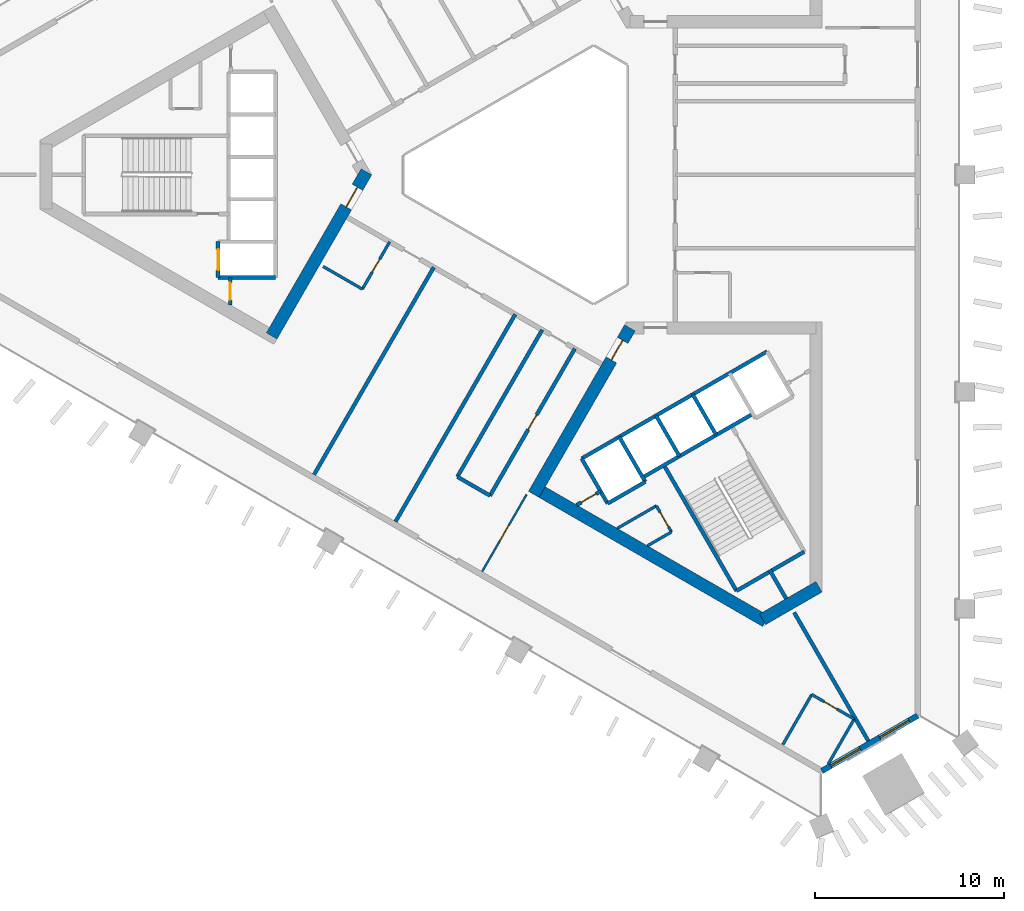
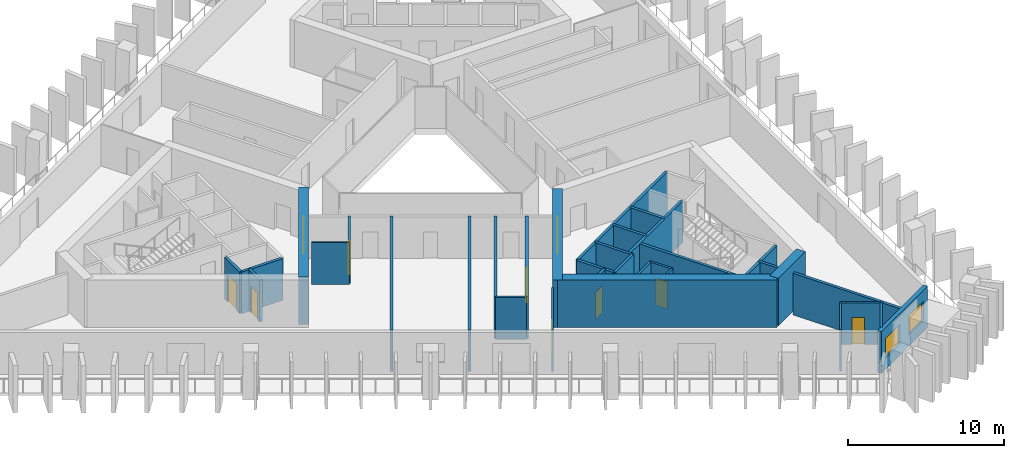
# One storey, part 2 of 10: 34 walls, 10 doors, 2 windows, 12 openings.
"""IFC4 building model written with IfcOpenShell, lengths in metres."""

import ifcopenshell
import ifcopenshell.guid

model = None  # the IFC model being written
_history = None  # IfcOwnerHistory: only IFC2X3 demands one
_inside = {}  # id of a spatial element -> (the spatial element, [elements in it])
_under = {}  # id of a project, library or spatial element -> (it, [spatial elements below it])
_declared = {}  # id of a project -> (the project, [libraries it declares])
_typed = {}  # id of a type object -> (the type object, [elements of that type])
_made_of = {}  # id of a material, layer set ... -> (it, [elements and type objects made of it])


def new_model(schema):
    """Start an empty IFC model of exactly this schema.

    Asked for "IFC4X3", IfcOpenShell would pick the latest addendum, in which some entities
    have other attributes; the version numbers below select the first issue.
    IFC2X3 requires an IfcOwnerHistory on every rooted entity: one is made here for all.
    """
    global model, _history
    if schema == "IFC4X3":
        model = ifcopenshell.file(schema_version=(4, 3, 0, 0))
    else:
        model = ifcopenshell.file(schema=schema)
    _inside.clear()
    _under.clear()
    _declared.clear()
    _typed.clear()
    _made_of.clear()
    _history = None
    if model.schema == "IFC2X3":
        org = make("IfcOrganization", Name="unknown")
        user = make(
            "IfcPersonAndOrganization",
            ThePerson=make("IfcPerson", FamilyName="unknown"),
            TheOrganization=org,
        )
        app = make(
            "IfcApplication",
            ApplicationDeveloper=org,
            Version="unknown",
            ApplicationFullName="unknown",
            ApplicationIdentifier="unknown",
        )
        _history = make(
            "IfcOwnerHistory",
            OwningUser=user,
            OwningApplication=app,
            ChangeAction="ADDED",
            CreationDate=0,
        )
    return model


def make(cls, **values):
    """One entity of the class cls with the attributes given. An attribute that is None is left unset."""
    return model.create_entity(
        cls, **{name: value for name, value in values.items() if value is not None}
    )


def rooted(cls, **values):
    """An entity with a GlobalId (a new one), such as an element, a storey or a relation."""
    return make(cls, GlobalId=ifcopenshell.guid.new(), OwnerHistory=_history, **values)


def si_unit(unit_type, name, prefix=None):
    """IfcSIUnit, for example si_unit("LENGTHUNIT", "METRE", prefix="MILLI")."""
    return make("IfcSIUnit", UnitType=unit_type, Prefix=prefix, Name=name)


def assignment(units):
    """IfcUnitAssignment: the units of a project."""
    return None if units is None else make("IfcUnitAssignment", Units=units)


def point(xyz):
    """IfcCartesianPoint."""
    return None if xyz is None else make("IfcCartesianPoint", Coordinates=xyz)


def direction(xyz):
    """IfcDirection."""
    return None if xyz is None else make("IfcDirection", DirectionRatios=xyz)


def frame(location, z_axis=None, x_axis=None):
    """IfcAxis2Placement3D, a coordinate frame: its origin and axes. An axis left out is left unset."""
    return make(
        "IfcAxis2Placement3D",
        Location=point(location),
        Axis=direction(z_axis),
        RefDirection=direction(x_axis),
    )


def frame_2d(location, x_axis=None):
    """IfcAxis2Placement2D, a coordinate frame in the plane: its origin and x axis."""
    return make(
        "IfcAxis2Placement2D", Location=point(location), RefDirection=direction(x_axis)
    )


def origin():
    """The frame at (0, 0, 0) with its axes left unset."""
    return frame((0.0, 0.0, 0.0))


def place(relative_to, where):
    """IfcLocalPlacement: puts the frame where relative to a parent placement (None: the world)."""
    return make(
        "IfcLocalPlacement", PlacementRelTo=relative_to, RelativePlacement=where
    )


def context(
    kind, dimensions, precision=None, world=None, true_north=None, identifier=None
):
    """IfcGeometricRepresentationContext, for example the 3D "Model" context."""
    return make(
        "IfcGeometricRepresentationContext",
        ContextIdentifier=identifier,
        ContextType=kind,
        CoordinateSpaceDimension=dimensions,
        Precision=precision,
        WorldCoordinateSystem=world,
        TrueNorth=true_north,
    )


def subcontext(parent, identifier, kind, view, scale=None):
    """IfcGeometricRepresentationSubContext, for example "Body" below "Model"."""
    return make(
        "IfcGeometricRepresentationSubContext",
        ContextIdentifier=identifier,
        ContextType=kind,
        ParentContext=parent,
        TargetScale=scale,
        TargetView=view,
    )


def project(units=None, contexts=None):
    """IfcProject with its units and contexts."""
    return rooted(
        "IfcProject",
        Name="project",
        RepresentationContexts=contexts,
        UnitsInContext=assignment(units),
    )


def spatial(cls, under=None, at=None, **own):
    """A site, building, storey or space (cls), placed at a placement, below another one or the project."""
    s = rooted(cls, ObjectPlacement=at, **own)
    if under is not None:
        _under.setdefault(under.id(), (under, []))[1].append(s)
    return s


def profile(cls, at=None, kind="AREA", **sizes):
    """A parametric profile (cls). Its sizes go by their IFC names, for example OverallWidth=200.0."""
    return make(cls, ProfileType=kind, Position=at, **sizes)


def rectangle(**sizes):
    """IfcRectangleProfileDef."""
    return profile("IfcRectangleProfileDef", **sizes)


def extrude(swept, where, along, depth):
    """IfcExtrudedAreaSolid: the profile swept, set in the frame where, extruded along a direction by depth."""
    return make(
        "IfcExtrudedAreaSolid",
        SweptArea=swept,
        Position=where,
        ExtrudedDirection=direction(along),
        Depth=depth,
    )


def shape(context_of_items, identifier, shape_type, items):
    """IfcShapeRepresentation: the items that make up one representation, for example the "Body"."""
    return make(
        "IfcShapeRepresentation",
        ContextOfItems=context_of_items,
        RepresentationIdentifier=identifier,
        RepresentationType=shape_type,
        Items=items,
    )


def material(Name=None, Category=None):
    """IfcMaterial."""
    return make("IfcMaterial", Name=Name, Category=Category)


def layer(
    of_material, thickness, ventilated=None, Name=None, Category=None, Priority=None
):
    """IfcMaterialLayer: one layer of a wall or slab, of a material (None: an air gap)."""
    return make(
        "IfcMaterialLayer",
        Material=of_material,
        LayerThickness=thickness,
        IsVentilated=ventilated,
        Name=Name,
        Category=Category,
        Priority=Priority,
    )


def layer_set(layers, Name=None):
    """IfcMaterialLayerSet."""
    return make("IfcMaterialLayerSet", MaterialLayers=layers, LayerSetName=Name)


def made_of(thing, what):
    """Note that an element or type object is made of a material, layer set ...; save() writes the relation."""
    if what is not None:
        _made_of.setdefault(what.id(), (what, []))[1].append(thing)
    return thing


def type_object(cls, material=None, **own):
    """A type object (cls), such as IfcWallType, which elements share."""
    return made_of(rooted(cls, **own), material)


def element(
    cls,
    number,
    at=None,
    inside=None,
    cuts=None,
    type_object=None,
    material=None,
    context=None,
    identifier="Body",
    shape_type=None,
    held_by="IfcProductDefinitionShape",
    body=None,
    shapes=None,
    **own,
):
    """One element of the class cls, such as IfcWall. Its Tag is "e" and its number.

    at: its placement. inside: the storey or other place that contains it. cuts: it is an
    opening in that element (IfcRelVoidsElement). A single representation is given by context,
    identifier, shape_type and body (its items); several are given by shapes. held_by: the class
    of the entity that holds the representations. save() writes the other relations.
    """
    e = rooted(cls, Tag="e%d" % number, ObjectPlacement=at, **own)
    if body is not None:
        shapes = [shape(context, identifier, shape_type, body)]
    if shapes is not None:
        e.Representation = make(held_by, Representations=shapes)
    if inside is not None:
        _inside.setdefault(inside.id(), (inside, []))[1].append(e)
    if cuts is not None:
        rooted(
            "IfcRelVoidsElement", RelatingBuildingElement=cuts, RelatedOpeningElement=e
        )
    if type_object is not None:
        _typed.setdefault(type_object.id(), (type_object, []))[1].append(e)
    return made_of(e, material)


def fill(opening, filler):
    """IfcRelFillsElement: the door or window that sits in an opening."""
    return rooted(
        "IfcRelFillsElement",
        RelatingOpeningElement=opening,
        RelatedBuildingElement=filler,
    )


def aggregate(whole, parts):
    """IfcRelAggregates: a whole, such as a stair, and the parts it consists of."""
    return rooted("IfcRelAggregates", RelatingObject=whole, RelatedObjects=parts)


def save(model, path):
    """Write the relations noted so far, then the file.

    IfcRelAggregates (storeys below a building ...), IfcRelContainedInSpatialStructure (elements
    in a storey), IfcRelDefinesByType, IfcRelAssociatesMaterial and IfcRelDeclares: one each for
    every whole, place, type object, material and project.
    """
    for whole, parts in _under.values():
        aggregate(whole, parts)
    for where, things in _inside.values():
        rooted(
            "IfcRelContainedInSpatialStructure",
            RelatedElements=things,
            RelatingStructure=where,
        )
    for kind, things in _typed.values():
        rooted("IfcRelDefinesByType", RelatedObjects=things, RelatingType=kind)
    for what, things in _made_of.values():
        rooted("IfcRelAssociatesMaterial", RelatedObjects=things, RelatingMaterial=what)
    for by, libraries in _declared.values():
        rooted("IfcRelDeclares", RelatingContext=by, RelatedDefinitions=libraries)
    model.write(path)


model = new_model("IFC4")

# Units and contexts
model_context = context("Model", 3, precision=1e-05, world=origin(), true_north=direction((0.0, 1.0)))
body_context = subcontext(model_context, "Body", "Model", "MODEL_VIEW")
ifc_project = project(units=[si_unit("LENGTHUNIT", "METRE"), si_unit("AREAUNIT", "SQUARE_METRE"), si_unit("VOLUMEUNIT", "CUBIC_METRE"), si_unit("PLANEANGLEUNIT", "RADIAN"), si_unit("MASSUNIT", "GRAM", prefix="KILO")], contexts=[model_context])

# Site, building, storey
site_placement = place(None, origin())
site = spatial("IfcSite", under=ifc_project, at=site_placement, CompositionType="ELEMENT")
building_placement = place(site_placement, origin())
building = spatial("IfcBuilding", under=site, at=building_placement, Name="Jabali Bay Hotel Tower and Convention Centre", CompositionType="ELEMENT")
storey_placement = place(building_placement, frame((0.0, 0.0, 106.800048828125)))
storey = spatial("IfcBuildingStorey", under=building, at=storey_placement, Name="L25", CompositionType="ELEMENT", Elevation=106.800048828125)

# Wall, opening, door
ifc_material_1 = material(Name="Concrete C40", Category="concrete")
ifc_layer_1 = layer(ifc_material_1, 0.199951171875)
ifc_layer_set_1 = layer_set([ifc_layer_1], Name="Concrete C40")
wall_type_1 = type_object("IfcWallType", Name="Core partition wall 200", PredefinedType="PARTITIONING", material=ifc_layer_set_1)
wall_1_placement = place(storey_placement, frame((58.5, 74.550048828125, 0.0), z_axis=(0.0, 0.0, 1.0), x_axis=(0.0, -1.0, 0.0)))
wall_1 = element("IfcWall", 1, at=wall_1_placement, inside=storey, type_object=wall_type_1, Name="Core wall 0.12 L25", PredefinedType="PARTITIONING", context=body_context, shape_type="SweptSolid", body=[
    extrude(rectangle(XDim=1.455078125, YDim=0.199951171875, at=frame_2d((0.7275390625, 0.0))), origin(), (0.0, 0.0, 1.0), 3.25),
])
opening_1_placement = place(wall_1_placement, frame((0.277587890625, 0.0, 0.0)))
opening_1 = element("IfcOpeningElement", 2, at=opening_1_placement, cuts=wall_1, Name="Opening D566", PredefinedType="OPENING", context=body_context, shape_type="SweptSolid", body=[
    extrude(rectangle(XDim=0.89990234375, YDim=2.10009765625, at=frame_2d((0.449951171875, 1.050048828125))), frame((0.0, 0.1103515625, 0.0), z_axis=(0.0, -1.0, 0.0), x_axis=(1.0, 0.0, 0.0)), (0.0, 0.0, 1.0), 0.220947265625),
])
ifc_material_2 = material(Name="Fire-rated steel door", Category="steel")
door_type_1 = type_object("IfcDoorType", Name="Vestibule fire door 900 x 2100", OperationType="NOTDEFINED", PredefinedType="NOTDEFINED", material=ifc_material_2)
door_1_placement = place(opening_1_placement, origin())
door_1 = element("IfcDoor", 3, at=door_1_placement, inside=storey, type_object=door_type_1, Name="Vestibule fire door D566", OperationType="SINGLE_SWING_LEFT", OverallHeight=2.10009765625, OverallWidth=0.89990234375, PredefinedType="NOTDEFINED", context=body_context, shape_type="SweptSolid", body=[
    extrude(rectangle(XDim=0.89990234375, YDim=2.10009765625, at=frame_2d((0.449951171875, 1.050048828125))), frame((0.0, 0.02490234375, 0.0), z_axis=(0.0, -1.0, 0.0), x_axis=(1.0, 0.0, 0.0)), (0.0, 0.0, 1.0), 0.050048828125),
])
fill(opening_1, door_1)

# Wall
wall_2_placement = place(storey_placement, frame((87.090087890625, 59.0595703125, 0.0), z_axis=(0.0, 0.0, 1.0), x_axis=(0.499944938281, -0.866057191349, 0.0)))
element("IfcWall", 4, at=wall_2_placement, inside=storey, type_object=wall_type_1, Name="Core wall 2.5 L25", PredefinedType="PARTITIONING", context=body_context, shape_type="SweptSolid", body=[
    extrude(rectangle(XDim=1.773193359375, YDim=0.199951171875, at=frame_2d((0.88671875, 0.0))), origin(), (0.0, 0.0, 1.0), 3.25),
])

# Wall, opening, door
wall_3_placement = place(storey_placement, frame((76.869873046875, 62.489013671875, 0.0), z_axis=(0.0, 0.0, 1.0), x_axis=(0.866054810376, 0.49994906283, 0.0)))
wall_3 = element("IfcWall", 5, at=wall_3_placement, inside=storey, type_object=wall_type_1, Name="Core wall 2.11 L25", PredefinedType="PARTITIONING", context=body_context, shape_type="SweptSolid", body=[
    extrude(rectangle(XDim=1.461181640625, YDim=0.199951171875, at=frame_2d((0.73046875, 0.0))), origin(), (0.0, 0.0, 1.0), 3.25),
])
opening_2_placement = place(wall_3_placement, frame((0.280517578125, 0.0, 0.0)))
opening_2 = element("IfcOpeningElement", 6, at=opening_2_placement, cuts=wall_3, Name="Opening D579", PredefinedType="OPENING", context=body_context, shape_type="SweptSolid", body=[
    extrude(rectangle(XDim=0.89990234375, YDim=2.10009765625, at=frame_2d((0.449951171875, 1.050048828125))), frame((0.0, 0.1103515625, 0.0), z_axis=(0.0, -1.0, 0.0), x_axis=(1.0, 0.0, 0.0)), (0.0, 0.0, 1.0), 0.220947265625),
])
door_2_placement = place(opening_2_placement, origin())
door_2 = element("IfcDoor", 7, at=door_2_placement, inside=storey, type_object=door_type_1, Name="Vestibule fire door D579", OperationType="SINGLE_SWING_LEFT", OverallHeight=2.10009765625, OverallWidth=0.89990234375, PredefinedType="NOTDEFINED", context=body_context, shape_type="SweptSolid", body=[
    extrude(rectangle(XDim=0.89990234375, YDim=2.10009765625, at=frame_2d((0.449951171875, 1.050048828125))), frame((0.0, 0.02490234375, 0.0), z_axis=(0.0, -1.0, 0.0), x_axis=(1.0, 0.0, 0.0)), (0.0, 0.0, 1.0), 0.050048828125),
])
fill(opening_2, door_2)

ifc_material_3 = material(Name="Fire-rated board partition")
ifc_layer_2 = layer(ifc_material_3, 0.14990234375)
ifc_layer_set_2 = layer_set([ifc_layer_2], Name="Fire-rated board partition")
wall_type_2 = type_object("IfcWallType", Name="Core room partition 150", PredefinedType="PARTITIONING", material=ifc_layer_set_2)
wall_4_placement = place(storey_placement, frame((81.093994140625, 62.445068359375, 0.0), z_axis=(0.0, 0.0, 1.0), x_axis=(0.499880961361, -0.866094119867, 0.0)))
wall_4 = element("IfcWall", 8, at=wall_4_placement, inside=storey, type_object=wall_type_2, Name="Core wall 2.1 L25", PredefinedType="PARTITIONING", context=body_context, shape_type="SweptSolid", body=[
    extrude(rectangle(XDim=1.60009765625, YDim=0.14990234375, at=frame_2d((0.800048828125, 0.0))), origin(), (0.0, 0.0, 1.0), 3.25),
])
opening_3_placement = place(wall_4_placement, frame((0.387451171875, 0.0, 0.0)))
opening_3 = element("IfcOpeningElement", 9, at=opening_3_placement, cuts=wall_4, Name="Opening D581", PredefinedType="OPENING", context=body_context, shape_type="SweptSolid", body=[
    extrude(rectangle(XDim=0.89990234375, YDim=2.10009765625, at=frame_2d((0.449951171875, 1.050048828125))), frame((0.0, 0.08544921875, 0.0), z_axis=(0.0, -1.0, 0.0), x_axis=(1.0, 0.0, 0.0)), (0.0, 0.0, 1.0), 0.1708984375),
])
door_type_2 = type_object("IfcDoorType", Name="Core room door 900 x 2100", OperationType="NOTDEFINED", PredefinedType="NOTDEFINED", material=ifc_material_2)
door_3_placement = place(opening_3_placement, origin())
door_3 = element("IfcDoor", 10, at=door_3_placement, inside=storey, type_object=door_type_2, Name="Core room door D581", OperationType="SINGLE_SWING_LEFT", OverallHeight=2.10009765625, OverallWidth=0.89990234375, PredefinedType="NOTDEFINED", context=body_context, shape_type="SweptSolid", body=[
    extrude(rectangle(XDim=0.89990234375, YDim=2.10009765625, at=frame_2d((0.449951171875, 1.050048828125))), frame((0.0, 0.02490234375, 0.0), z_axis=(0.0, -1.0, 0.0), x_axis=(1.0, 0.0, 0.0)), (0.0, 0.0, 1.0), 0.050048828125),
])
fill(opening_3, door_3)

# Walls
wall_5_placement = place(storey_placement, frame((79.02001953125, 61.247802734375, 0.0), z_axis=(0.0, 0.0, 1.0), x_axis=(0.866051471819, 0.499954846121, 0.0)))
element("IfcWall", 11, at=wall_5_placement, inside=storey, type_object=wall_type_2, Name="Core wall 2.16 L25", PredefinedType="PARTITIONING", context=body_context, shape_type="SweptSolid", body=[
    extrude(rectangle(XDim=2.394775390625, YDim=0.14990234375, at=frame_2d((1.197265625, 0.0))), origin(), (0.0, 0.0, 1.0), 3.25),
])
wall_6_placement = place(storey_placement, frame((80.619873046875, 60.323974609375, 0.0), z_axis=(0.0, 0.0, 1.0), x_axis=(0.866069507536, 0.49992360228, 0.0)))
element("IfcWall", 12, at=wall_6_placement, inside=storey, type_object=wall_type_2, Name="Core wall 2.17 L25", PredefinedType="PARTITIONING", context=body_context, shape_type="SweptSolid", body=[
    extrude(rectangle(XDim=1.470947265625, YDim=0.14990234375, at=frame_2d((0.7353515625, 0.0))), origin(), (0.0, 0.0, 1.0), 3.25),
])
ifc_layer_3 = layer(ifc_material_1, 0.199951171875)
ifc_layer_set_3 = layer_set([ifc_layer_3], Name="Concrete C40")
wall_type_3 = type_object("IfcWallType", Name="Core stair wall 200", PredefinedType="SOLIDWALL", material=ifc_layer_set_3)
wall_7_placement = place(storey_placement, frame((60.89990234375, 74.550048828125, 0.0), z_axis=(0.0, 0.0, 1.0), x_axis=(-1.0, 0.0, 0.0)))
element("IfcWall", 13, at=wall_7_placement, inside=storey, type_object=wall_type_3, Name="Core wall 0.9 L25", PredefinedType="SOLIDWALL", context=body_context, shape_type="SweptSolid", body=[
    extrude(rectangle(XDim=3.0498046875, YDim=0.199951171875, at=frame_2d((1.52490234375, 0.0))), origin(), (0.0, 0.0, 1.0), 3.25),
])

# Wall, opening, door
wall_8_placement = place(storey_placement, frame((57.85009765625, 76.449951171875, 0.0), z_axis=(0.0, 0.0, 1.0), x_axis=(0.0, -1.0, 0.0)))
wall_8 = element("IfcWall", 14, at=wall_8_placement, inside=storey, type_object=wall_type_3, Name="Core wall 0.14 L25", PredefinedType="SOLIDWALL", context=body_context, shape_type="SweptSolid", body=[
    extrude(rectangle(XDim=1.89990234375, YDim=0.199951171875, at=frame_2d((0.949951171875, 0.0))), origin(), (0.0, 0.0, 1.0), 3.25),
])
opening_4_placement = place(wall_8_placement, frame((0.39990234375, 0.0, 0.0)))
opening_4 = element("IfcOpeningElement", 15, at=opening_4_placement, cuts=wall_8, Name="Opening LD5-L25", PredefinedType="OPENING", context=body_context, shape_type="SweptSolid", body=[
    extrude(rectangle(XDim=1.10009765625, YDim=2.10009765625, at=frame_2d((0.550048828125, 1.050048828125))), frame((0.0, 0.1103515625, 0.0), z_axis=(0.0, -1.0, 0.0), x_axis=(1.0, 0.0, 0.0)), (0.0, 0.0, 1.0), 0.220947265625),
])
ifc_material_4 = material(Name="Stainless steel landing door", Category="steel")
door_type_3 = type_object("IfcDoorType", Name="Landing door 1100 x 2100", OperationType="NOTDEFINED", PredefinedType="NOTDEFINED", material=ifc_material_4)
door_4_placement = place(opening_4_placement, origin())
door_4 = element("IfcDoor", 16, at=door_4_placement, inside=storey, type_object=door_type_3, Name="Landing doors LD5-L25", OperationType="SLIDING_TO_RIGHT", OverallHeight=2.10009765625, OverallWidth=1.10009765625, PredefinedType="NOTDEFINED", context=body_context, shape_type="SweptSolid", body=[
    extrude(rectangle(XDim=1.10009765625, YDim=2.10009765625, at=frame_2d((0.550048828125, 1.050048828125))), frame((0.0, 0.02490234375, 0.0), z_axis=(0.0, -1.0, 0.0), x_axis=(1.0, 0.0, 0.0)), (0.0, 0.0, 1.0), 0.050048828125),
])
fill(opening_4, door_4)

# Walls
for number, where, z_axis, x_axis, name in (
    (17, (77.13525390625, 64.95166015625, 0.0), (0.0, 0.0, 1.0), (0.499996545922, -0.866027397988, 0.0), "Core wall 2.0 L25"),
    (18, (79.127197265625, 66.1015625, 0.0), (0.0, 0.0, 1.0), (0.499996545922, -0.866027397988, 0.0), "Core wall 2.2 L25"),
):
    element("IfcWall", number, at=place(storey_placement, frame(where, z_axis=z_axis, x_axis=x_axis)), inside=storey, type_object=wall_type_3, Name=name, PredefinedType="SOLIDWALL", context=body_context, shape_type="SweptSolid", body=[
        extrude(rectangle(XDim=2.75, YDim=0.199951171875, at=frame_2d((1.375, 0.0))), origin(), (0.0, 0.0, 1.0), 3.25),
    ])
wall_9_placement = place(storey_placement, frame((81.492919921875, 64.603759765625, 0.0), z_axis=(0.0, 0.0, 1.0), x_axis=(0.500006057782, -0.866021906294, 0.0)))
element("IfcWall", 19, at=wall_9_placement, inside=storey, type_object=wall_type_3, Name="Core wall 2.3 L25", PredefinedType="SOLIDWALL", context=body_context, shape_type="SweptSolid", body=[
    extrude(rectangle(XDim=7.7001953125, YDim=0.199951171875, at=frame_2d((3.85009765625, 0.0))), origin(), (0.0, 0.0, 1.0), 3.25),
])
for number, where, z_axis, x_axis, name in (
    (20, (81.07568359375, 67.2265625, 0.0), (0.0, 0.0, 1.0), (0.50000366821, -0.866023285932, 0.0), "Core wall 2.4 L25"),
    (21, (83.024169921875, 68.3515625, 0.0), (0.0, 0.0, 1.0), (0.50000366821, -0.866023285932, 0.0), "Core wall 2.6 L25"),
):
    element("IfcWall", number, at=place(storey_placement, frame(where, z_axis=z_axis, x_axis=x_axis)), inside=storey, type_object=wall_type_3, Name=name, PredefinedType="SOLIDWALL", context=body_context, shape_type="SweptSolid", body=[
        extrude(rectangle(XDim=2.47998046875, YDim=0.199951171875, at=frame_2d((1.239990234375, 0.0))), origin(), (0.0, 0.0, 1.0), 3.25),
    ])
wall_10_placement = place(storey_placement, frame((77.13525390625, 64.95166015625, 0.0), z_axis=(0.0, 0.0, 1.0), x_axis=(0.866031916153, 0.499988720078, 0.0)))
element("IfcWall", 22, at=wall_10_placement, inside=storey, type_object=wall_type_3, Name="Core wall 2.10 L25", PredefinedType="SOLIDWALL", context=body_context, shape_type="SweptSolid", body=[
    extrude(rectangle(XDim=11.349853515625, YDim=0.199951171875, at=frame_2d((5.6748046875, 0.0))), origin(), (0.0, 0.0, 1.0), 3.25),
])
wall_11_placement = place(storey_placement, frame((80.3671875, 63.953857421875, 0.0), z_axis=(0.0, 0.0, 1.0), x_axis=(0.866026575979, 0.499997969693, 0.0)))
element("IfcWall", 23, at=wall_11_placement, inside=storey, type_object=wall_type_3, Name="Core wall 2.13 L25", PredefinedType="SOLIDWALL", context=body_context, shape_type="SweptSolid", body=[
    extrude(rectangle(XDim=6.75, YDim=0.199951171875, at=frame_2d((3.375, 0.0))), origin(), (0.0, 0.0, 1.0), 3.25),
])
wall_12_placement = place(storey_placement, frame((78.51025390625, 62.570068359375, 0.0), z_axis=(0.0, 0.0, 1.0), x_axis=(0.866053019151, 0.499952165731, 0.0)))
element("IfcWall", 24, at=wall_12_placement, inside=storey, type_object=wall_type_3, Name="Core wall 2.14 L25", PredefinedType="SOLIDWALL", context=body_context, shape_type="SweptSolid", body=[
    extrude(rectangle(XDim=2.300048828125, YDim=0.199951171875, at=frame_2d((1.14990234375, 0.0))), origin(), (0.0, 0.0, 1.0), 3.25),
])
wall_13_placement = place(storey_placement, frame((85.343017578125, 57.935302734375, 0.0), z_axis=(0.0, 0.0, 1.0), x_axis=(0.866004344652, 0.500036473714, 0.0)))
element("IfcWall", 25, at=wall_13_placement, inside=storey, type_object=wall_type_3, Name="Core wall 2.18 L25", PredefinedType="SOLIDWALL", context=body_context, shape_type="SweptSolid", body=[
    extrude(rectangle(XDim=4.150146484375, YDim=0.199951171875, at=frame_2d((2.0751953125, 0.0))), origin(), (0.0, 0.0, 1.0), 3.25),
])

# Wall, opening, door
ifc_material_5 = material(Name="Concrete C60", Category="concrete")
ifc_layer_4 = layer(ifc_material_5, 0.64990234375)
ifc_layer_set_4 = layer_set([ifc_layer_4], Name="Concrete C60")
wall_type_4 = type_object("IfcWallType", Name="Core wall 650", PredefinedType="SHEAR", material=ifc_layer_set_4)
wall_14_placement = place(storey_placement, frame((60.691162109375, 71.45458984375, 0.0), z_axis=(0.0, 0.0, 1.0), x_axis=(0.499983075189, 0.866035175108, 0.0)))
wall_14 = element("IfcWall", 26, at=wall_14_placement, inside=storey, type_object=wall_type_4, Name="Core wall 1.5 L25", PredefinedType="SHEAR", context=body_context, shape_type="SweptSolid", body=[
    extrude(rectangle(XDim=10.054931640625, YDim=0.64990234375, at=frame_2d((5.02734375, 0.0))), origin(), (0.0, 0.0, 1.0), 3.699951171875),
])
opening_5_placement = place(wall_14_placement, frame((7.905029296875, 0.0, 0.0)))
opening_5 = element("IfcOpeningElement", 27, at=opening_5_placement, cuts=wall_14, Name="Opening D565", PredefinedType="OPENING", context=body_context, shape_type="SweptSolid", body=[
    extrude(rectangle(XDim=1.199951171875, YDim=2.10009765625, at=frame_2d((0.60009765625, 1.050048828125))), frame((0.0, 0.33544921875, 0.0), z_axis=(0.0, -1.0, 0.0), x_axis=(1.0, 0.0, 0.0)), (0.0, 0.0, 1.0), 0.6708984375),
])
door_type_4 = type_object("IfcDoorType", Name="Corridor end fire door 1200 x 2100", OperationType="NOTDEFINED", PredefinedType="NOTDEFINED", material=ifc_material_2)
door_5_placement = place(opening_5_placement, origin())
door_5 = element("IfcDoor", 28, at=door_5_placement, inside=storey, type_object=door_type_4, Name="Corridor end fire door D565", OperationType="SINGLE_SWING_LEFT", OverallHeight=2.10009765625, OverallWidth=1.199951171875, PredefinedType="NOTDEFINED", context=body_context, shape_type="SweptSolid", body=[
    extrude(rectangle(XDim=1.199951171875, YDim=2.10009765625, at=frame_2d((0.60009765625, 1.050048828125))), frame((0.0, 0.02490234375, 0.0), z_axis=(0.0, -1.0, 0.0), x_axis=(1.0, 0.0, 0.0)), (0.0, 0.0, 1.0), 0.050048828125),
])
fill(opening_5, door_5)

wall_15_placement = place(storey_placement, frame((79.687744140625, 71.880859375, 0.0), z_axis=(0.0, 0.0, 1.0), x_axis=(-0.49999822179, -0.866026430432, 0.0)))
wall_15 = element("IfcWall", 29, at=wall_15_placement, inside=storey, type_object=wall_type_4, Name="Core wall 3.1 L25", PredefinedType="SHEAR", context=body_context, shape_type="SweptSolid", body=[
    extrude(rectangle(XDim=10.1923828125, YDim=0.64990234375, at=frame_2d((5.09619140625, 0.0))), origin(), (0.0, 0.0, 1.0), 3.699951171875),
])
opening_6_placement = place(wall_15_placement, frame((0.762451171875, 0.0, 0.0)))
opening_6 = element("IfcOpeningElement", 30, at=opening_6_placement, cuts=wall_15, Name="Opening D576", PredefinedType="OPENING", context=body_context, shape_type="SweptSolid", body=[
    extrude(rectangle(XDim=1.199951171875, YDim=2.10009765625, at=frame_2d((0.60009765625, 1.050048828125))), frame((0.0, 0.33544921875, 0.0), z_axis=(0.0, -1.0, 0.0), x_axis=(1.0, 0.0, 0.0)), (0.0, 0.0, 1.0), 0.6708984375),
])
door_6_placement = place(opening_6_placement, origin())
door_6 = element("IfcDoor", 31, at=door_6_placement, inside=storey, type_object=door_type_4, Name="Corridor end fire door D576", OperationType="SINGLE_SWING_RIGHT", OverallHeight=2.10009765625, OverallWidth=1.199951171875, PredefinedType="NOTDEFINED", context=body_context, shape_type="SweptSolid", body=[
    extrude(rectangle(XDim=1.199951171875, YDim=2.10009765625, at=frame_2d((0.60009765625, 1.050048828125))), frame((0.0, 0.02490234375, 0.0), z_axis=(0.0, -1.0, 0.0), x_axis=(1.0, 0.0, 0.0)), (0.0, 0.0, 1.0), 0.050048828125),
])
fill(opening_6, door_6)

# Walls
wall_16_placement = place(storey_placement, frame((74.75390625, 63.33544921875, 0.0), z_axis=(0.0, 0.0, 1.0), x_axis=(0.866026250715, -0.49999853307, 0.0)))
element("IfcWall", 32, at=wall_16_placement, inside=storey, type_object=wall_type_4, Name="Core wall 3.2 L25", PredefinedType="SHEAR", context=body_context, shape_type="SweptSolid", body=[
    extrude(rectangle(XDim=14.00830078125, YDim=0.64990234375, at=frame_2d((7.004150390625, 0.0))), origin(), (0.0, 0.0, 1.0), 3.699951171875),
])
wall_17_placement = place(storey_placement, frame((86.72314453125, 56.425048828125, 0.0), z_axis=(0.0, 0.0, 1.0), x_axis=(0.866031550877, 0.499989352773, 0.0)))
element("IfcWall", 33, at=wall_17_placement, inside=storey, type_object=wall_type_4, Name="Core wall 3.3 L25", PredefinedType="SHEAR", context=body_context, shape_type="SweptSolid", body=[
    extrude(rectangle(XDim=3.45751953125, YDim=0.64990234375, at=frame_2d((1.728759765625, 0.0))), origin(), (0.0, 0.0, 1.0), 3.699951171875),
])

# Wall, openings, windows
ifc_layer_5 = layer(ifc_material_1, 0.300048828125)
ifc_layer_set_5 = layer_set([ifc_layer_5], Name="Concrete C40")
wall_type_5 = type_object("IfcWallType", Name="External wall 300", PredefinedType="SOLIDWALL", material=ifc_layer_set_5)
wall_18_placement = place(storey_placement, frame((94.949462890625, 51.31640625, 0.0), z_axis=(0.0, 0.0, 1.0), x_axis=(-0.8660179712, -0.500012873392, 0.0)))
wall_18 = element("IfcWall", 34, at=wall_18_placement, inside=storey, type_object=wall_type_5, Name="External wall south-east chamfer L25", PredefinedType="SOLIDWALL", context=body_context, shape_type="SweptSolid", body=[
    extrude(rectangle(XDim=5.869873046875, YDim=0.300048828125, at=frame_2d((2.93505859375, 0.0))), origin(), (0.0, 0.0, 1.0), 3.25),
])
opening_7_placement = place(wall_18_placement, frame((3.5224609375, 0.0, 0.89990234375)))
opening_7 = element("IfcOpeningElement", 35, at=opening_7_placement, cuts=wall_18, Name="Opening W1", PredefinedType="OPENING", context=body_context, shape_type="SweptSolid", body=[
    extrude(rectangle(XDim=1.800048828125, YDim=1.5, at=frame_2d((0.89990234375, 0.75))), frame((0.0, 0.16064453125, 0.0), z_axis=(0.0, -1.0, 0.0), x_axis=(1.0, 0.0, 0.0)), (0.0, 0.0, 1.0), 0.321044921875),
])
opening_8_placement = place(wall_18_placement, frame((0.524658203125, 0.0, 0.89990234375)))
opening_8 = element("IfcOpeningElement", 36, at=opening_8_placement, cuts=wall_18, Name="Opening W1", PredefinedType="OPENING", context=body_context, shape_type="SweptSolid", body=[
    extrude(rectangle(XDim=1.800048828125, YDim=1.5, at=frame_2d((0.89990234375, 0.75))), frame((0.0, 0.16064453125, 0.0), z_axis=(0.0, -1.0, 0.0), x_axis=(1.0, 0.0, 0.0)), (0.0, 0.0, 1.0), 0.321044921875),
])
ifc_material_6 = material(Name="Glass", Category="glass")
window_type = type_object("IfcWindowType", Name="Window 1800 x 1500", PartitioningType="SINGLE_PANEL", PredefinedType="WINDOW", material=ifc_material_6)
window_1_placement = place(opening_7_placement, origin())
window_1 = element("IfcWindow", 37, at=window_1_placement, inside=storey, type_object=window_type, Name="Window 2509", OverallHeight=1.5, OverallWidth=1.800048828125, PartitioningType="SINGLE_PANEL", PredefinedType="WINDOW", context=body_context, shape_type="SweptSolid", body=[
    extrude(rectangle(XDim=1.800048828125, YDim=1.5, at=frame_2d((0.89990234375, 0.75))), frame((0.0, 0.030029296875, 0.0), z_axis=(0.0, -1.0, 0.0), x_axis=(1.0, 0.0, 0.0)), (0.0, 0.0, 1.0), 0.06005859375),
])
fill(opening_7, window_1)
window_2_placement = place(opening_8_placement, origin())
window_2 = element("IfcWindow", 38, at=window_2_placement, inside=storey, type_object=window_type, Name="Window 2501", OverallHeight=1.5, OverallWidth=1.800048828125, PartitioningType="SINGLE_PANEL", PredefinedType="WINDOW", context=body_context, shape_type="SweptSolid", body=[
    extrude(rectangle(XDim=1.800048828125, YDim=1.5, at=frame_2d((0.89990234375, 0.75))), frame((0.0, 0.030029296875, 0.0), z_axis=(0.0, -1.0, 0.0), x_axis=(1.0, 0.0, 0.0)), (0.0, 0.0, 1.0), 0.06005859375),
])
fill(opening_8, window_2)

# Wall, opening, door
ifc_material_7 = material(Name="Plasterboard on steel stud", Category="steel")
ifc_layer_6 = layer(ifc_material_7, 0.10009765625)
ifc_layer_set_6 = layer_set([ifc_layer_6], Name="Plasterboard on steel stud")
wall_type_6 = type_object("IfcWallType", Name="Partition 100 unit", PredefinedType="PARTITIONING", material=ifc_layer_set_6)
wall_19_placement = place(storey_placement, frame((71.849853515625, 58.955078125, 0.0), z_axis=(0.0, 0.0, 1.0), x_axis=(0.499959680857, 0.866048680801, 0.0)))
wall_19 = element("IfcWall", 39, at=wall_19_placement, inside=storey, type_object=wall_type_6, Name="Partition P02 L25 032", PredefinedType="PARTITIONING", context=body_context, shape_type="SweptSolid", body=[
    extrude(rectangle(XDim=4.7216796875, YDim=0.10009765625, at=frame_2d((2.36083984375, 0.0))), origin(), (0.0, 0.0, 1.0), 3.25),
])
opening_9_placement = place(wall_19_placement, frame((1.910888671875, 0.0, 0.0)))
opening_9 = element("IfcOpeningElement", 40, at=opening_9_placement, cuts=wall_19, Name="Opening 2520", PredefinedType="OPENING", context=body_context, shape_type="SweptSolid", body=[
    extrude(rectangle(XDim=0.89990234375, YDim=2.10009765625, at=frame_2d((0.449951171875, 1.050048828125))), frame((0.0, 0.060546875, 0.0), z_axis=(0.0, -1.0, 0.0), x_axis=(1.0, 0.0, 0.0)), (0.0, 0.0, 1.0), 0.12109375),
])
ifc_material_8 = material(Name="Timber", Category="wood")
door_type_5 = type_object("IfcDoorType", Name="Internal door 900 x 2100", OperationType="NOTDEFINED", PredefinedType="NOTDEFINED", material=ifc_material_8)
door_7_placement = place(opening_9_placement, origin())
door_7 = element("IfcDoor", 41, at=door_7_placement, inside=storey, type_object=door_type_5, Name="Door 2520", OperationType="SINGLE_SWING_RIGHT", OverallHeight=2.10009765625, OverallWidth=0.89990234375, PredefinedType="NOTDEFINED", context=body_context, shape_type="SweptSolid", body=[
    extrude(rectangle(XDim=0.89990234375, YDim=2.10009765625, at=frame_2d((0.449951171875, 1.050048828125))), frame((0.0, 0.02490234375, 0.0), z_axis=(0.0, -1.0, 0.0), x_axis=(1.0, 0.0, 0.0)), (0.0, 0.0, 1.0), 0.050048828125),
])
fill(opening_9, door_7)

ifc_layer_7 = layer(ifc_material_7, 0.14990234375)
ifc_layer_set_7 = layer_set([ifc_layer_7], Name="Plasterboard on steel stud")
wall_type_7 = type_object("IfcWallType", Name="Partition 150 wet", PredefinedType="PARTITIONING", material=ifc_layer_set_7)
wall_20_placement = place(storey_placement, frame((66.95166015625, 76.4482421875, 0.0), z_axis=(0.0, 0.0, 1.0), x_axis=(-0.499987231761, -0.866032775405, 0.0)))
wall_20 = element("IfcWall", 42, at=wall_20_placement, inside=storey, type_object=wall_type_7, Name="Partition P03 L25 028", PredefinedType="PARTITIONING", context=body_context, shape_type="SweptSolid", body=[
    extrude(rectangle(XDim=2.89990234375, YDim=0.14990234375, at=frame_2d((1.449951171875, 0.0))), origin(), (0.0, 0.0, 1.0), 3.25),
])
opening_10_placement = place(wall_20_placement, frame((1.050048828125, 0.0, 0.0)))
opening_10 = element("IfcOpeningElement", 43, at=opening_10_placement, cuts=wall_20, Name="Opening 2516", PredefinedType="OPENING", context=body_context, shape_type="SweptSolid", body=[
    extrude(rectangle(XDim=0.800048828125, YDim=2.10009765625, at=frame_2d((0.39990234375, 1.050048828125))), frame((0.0, 0.08544921875, 0.0), z_axis=(0.0, -1.0, 0.0), x_axis=(1.0, 0.0, 0.0)), (0.0, 0.0, 1.0), 0.1708984375),
])
door_type_6 = type_object("IfcDoorType", Name="En-suite door 800 x 2100", OperationType="NOTDEFINED", PredefinedType="NOTDEFINED", material=ifc_material_8)
door_8_placement = place(opening_10_placement, origin())
door_8 = element("IfcDoor", 44, at=door_8_placement, inside=storey, type_object=door_type_6, Name="Door 2516", OperationType="SINGLE_SWING_RIGHT", OverallHeight=2.10009765625, OverallWidth=0.800048828125, PredefinedType="NOTDEFINED", context=body_context, shape_type="SweptSolid", body=[
    extrude(rectangle(XDim=0.800048828125, YDim=2.10009765625, at=frame_2d((0.39990234375, 1.050048828125))), frame((0.0, 0.02490234375, 0.0), z_axis=(0.0, -1.0, 0.0), x_axis=(1.0, 0.0, 0.0)), (0.0, 0.0, 1.0), 0.050048828125),
])
fill(opening_10, door_8)

# Walls
wall_21_placement = place(storey_placement, frame((65.501708984375, 73.936767578125, 0.0), z_axis=(0.0, 0.0, 1.0), x_axis=(-0.865994240961, 0.500053971709, 0.0)))
element("IfcWall", 45, at=wall_21_placement, inside=storey, type_object=wall_type_7, Name="Partition P03 L25 029", PredefinedType="PARTITIONING", context=body_context, shape_type="SweptSolid", body=[
    extrude(rectangle(XDim=2.401123046875, YDim=0.14990234375, at=frame_2d((1.20068359375, 0.0))), origin(), (0.0, 0.0, 1.0), 3.25),
])
wall_22_placement = place(storey_placement, frame((87.80517578125, 49.790771484375, 0.0), z_axis=(0.0, 0.0, 1.0), x_axis=(0.499968959014, 0.866043324564, 0.0)))
element("IfcWall", 46, at=wall_22_placement, inside=storey, type_object=wall_type_7, Name="Partition P03 L25 036", PredefinedType="PARTITIONING", context=body_context, shape_type="SweptSolid", body=[
    extrude(rectangle(XDim=3.057861328125, YDim=0.14990234375, at=frame_2d((1.52880859375, 0.0))), origin(), (0.0, 0.0, 1.0), 3.25),
])

# Wall, opening, door
wall_23_placement = place(storey_placement, frame((89.333984375, 52.43896484375, 0.0), z_axis=(0.0, 0.0, 1.0), x_axis=(0.866021400173, -0.500006934395, 0.0)))
wall_23 = element("IfcWall", 47, at=wall_23_placement, inside=storey, type_object=wall_type_7, Name="Partition P03 L25 037", PredefinedType="PARTITIONING", context=body_context, shape_type="SweptSolid", body=[
    extrude(rectangle(XDim=2.60009765625, YDim=0.14990234375, at=frame_2d((1.300048828125, 0.0))), origin(), (0.0, 0.0, 1.0), 3.25),
])
opening_11_placement = place(wall_23_placement, frame((0.75, 0.0, 0.0)))
opening_11 = element("IfcOpeningElement", 48, at=opening_11_placement, cuts=wall_23, Name="Opening 2521", PredefinedType="OPENING", context=body_context, shape_type="SweptSolid", body=[
    extrude(rectangle(XDim=0.800048828125, YDim=2.10009765625, at=frame_2d((0.39990234375, 1.050048828125))), frame((0.0, 0.08544921875, 0.0), z_axis=(0.0, -1.0, 0.0), x_axis=(1.0, 0.0, 0.0)), (0.0, 0.0, 1.0), 0.1708984375),
])
door_9_placement = place(opening_11_placement, origin())
door_9 = element("IfcDoor", 49, at=door_9_placement, inside=storey, type_object=door_type_6, Name="Door 2521", OperationType="SINGLE_SWING_LEFT", OverallHeight=2.10009765625, OverallWidth=0.800048828125, PredefinedType="NOTDEFINED", context=body_context, shape_type="SweptSolid", body=[
    extrude(rectangle(XDim=0.800048828125, YDim=2.10009765625, at=frame_2d((0.39990234375, 1.050048828125))), frame((0.0, 0.02490234375, 0.0), z_axis=(0.0, -1.0, 0.0), x_axis=(1.0, 0.0, 0.0)), (0.0, 0.0, 1.0), 0.050048828125),
])
fill(opening_11, door_9)

# Walls
wall_24_placement = place(storey_placement, frame((91.585693359375, 51.138916015625, 0.0), z_axis=(0.0, 0.0, 1.0), x_axis=(-0.500013606671, -0.866017547827, 0.0)))
element("IfcWall", 50, at=wall_24_placement, inside=storey, type_object=wall_type_7, Name="Partition P03 L25 038", PredefinedType="PARTITIONING", context=body_context, shape_type="SweptSolid", body=[
    extrude(rectangle(XDim=2.75830078125, YDim=0.14990234375, at=frame_2d((1.379150390625, 0.0))), origin(), (0.0, 0.0, 1.0), 3.25),
])
ifc_layer_8 = layer(ifc_material_7, 0.199951171875)
ifc_layer_set_8 = layer_set([ifc_layer_8], Name="Plasterboard on steel stud")
wall_type_8 = type_object("IfcWallType", Name="Partition 200 party", PredefinedType="PARTITIONING", material=ifc_layer_set_8)
wall_25_placement = place(storey_placement, frame((88.401123046875, 56.788818359375, 0.0), z_axis=(0.0, 0.0, 1.0), x_axis=(0.4999920731, -0.866029980334, 0.0)))
element("IfcWall", 51, at=wall_25_placement, inside=storey, type_object=wall_type_8, Name="Partition P01 L25 004", PredefinedType="PARTITIONING", context=body_context, shape_type="SweptSolid", body=[
    extrude(rectangle(XDim=7.864501953125, YDim=0.199951171875, at=frame_2d((3.93212890625, 0.0))), origin(), (0.0, 0.0, 1.0), 3.25),
])
for number, where, z_axis, x_axis, name in (
    (52, (62.939697265625, 64.099365234375, 0.0), (0.0, 0.0, 1.0), (0.500003109361, 0.866023608586, 0.0), "Partition P01 L25 030"),
    (53, (67.259765625, 61.605224609375, 0.0), (0.0, 0.0, 1.0), (0.500003109361, 0.866023608586, 0.0), "Partition P01 L25 031"),
):
    element("IfcWall", number, at=place(storey_placement, frame(where, z_axis=z_axis, x_axis=x_axis)), inside=storey, type_object=wall_type_8, Name=name, PredefinedType="PARTITIONING", context=body_context, shape_type="SweptSolid", body=[
        extrude(rectangle(XDim=12.70068359375, YDim=0.199951171875, at=frame_2d((6.350341796875, 0.0))), origin(), (0.0, 0.0, 1.0), 3.25),
    ])

# Wall, opening, door
wall_26_placement = place(storey_placement, frame((76.77099609375, 70.779052734375, 0.0), z_axis=(0.0, 0.0, 1.0), x_axis=(-0.5000018851, -0.866024315419, 0.0)))
wall_26 = element("IfcWall", 54, at=wall_26_placement, inside=storey, type_object=wall_type_8, Name="Partition P01 L25 033", PredefinedType="PARTITIONING", context=body_context, shape_type="SweptSolid", body=[
    extrude(rectangle(XDim=9.0, YDim=0.199951171875, at=frame_2d((4.5, 0.0))), origin(), (0.0, 0.0, 1.0), 3.25),
])
opening_12_placement = place(wall_26_placement, frame((4.050048828125, 0.0, 0.0)))
opening_12 = element("IfcOpeningElement", 55, at=opening_12_placement, cuts=wall_26, Name="Opening 2522", PredefinedType="OPENING", context=body_context, shape_type="SweptSolid", body=[
    extrude(rectangle(XDim=0.89990234375, YDim=2.10009765625, at=frame_2d((0.449951171875, 1.050048828125))), frame((0.0, 0.1103515625, 0.0), z_axis=(0.0, -1.0, 0.0), x_axis=(1.0, 0.0, 0.0)), (0.0, 0.0, 1.0), 0.220947265625),
])
door_10_placement = place(opening_12_placement, origin())
door_10 = element("IfcDoor", 56, at=door_10_placement, inside=storey, type_object=door_type_5, Name="Door 2522", OperationType="SINGLE_SWING_LEFT", OverallHeight=2.10009765625, OverallWidth=0.89990234375, PredefinedType="NOTDEFINED", context=body_context, shape_type="SweptSolid", body=[
    extrude(rectangle(XDim=0.89990234375, YDim=2.10009765625, at=frame_2d((0.449951171875, 1.050048828125))), frame((0.0, 0.02490234375, 0.0), z_axis=(0.0, -1.0, 0.0), x_axis=(1.0, 0.0, 0.0)), (0.0, 0.0, 1.0), 0.050048828125),
])
fill(opening_12, door_10)

# Walls
wall_27_placement = place(storey_placement, frame((72.27099609375, 62.98486328125, 0.0), z_axis=(0.0, 0.0, 1.0), x_axis=(-0.866010750942, 0.50002537861, 0.0)))
element("IfcWall", 57, at=wall_27_placement, inside=storey, type_object=wall_type_8, Name="Partition P01 L25 034", PredefinedType="PARTITIONING", context=body_context, shape_type="SweptSolid", body=[
    extrude(rectangle(XDim=2.0, YDim=0.199951171875, at=frame_2d((1.0, 0.0))), origin(), (0.0, 0.0, 1.0), 3.25),
])
wall_28_placement = place(storey_placement, frame((70.5390625, 63.98486328125, 0.0), z_axis=(0.0, 0.0, 1.0), x_axis=(0.5000018851, 0.866024315419, 0.0)))
element("IfcWall", 58, at=wall_28_placement, inside=storey, type_object=wall_type_8, Name="Partition P01 L25 035", PredefinedType="PARTITIONING", context=body_context, shape_type="SweptSolid", body=[
    extrude(rectangle(XDim=9.0, YDim=0.199951171875, at=frame_2d((4.5, 0.0))), origin(), (0.0, 0.0, 1.0), 3.25),
])

save(model, "model.ifc")
